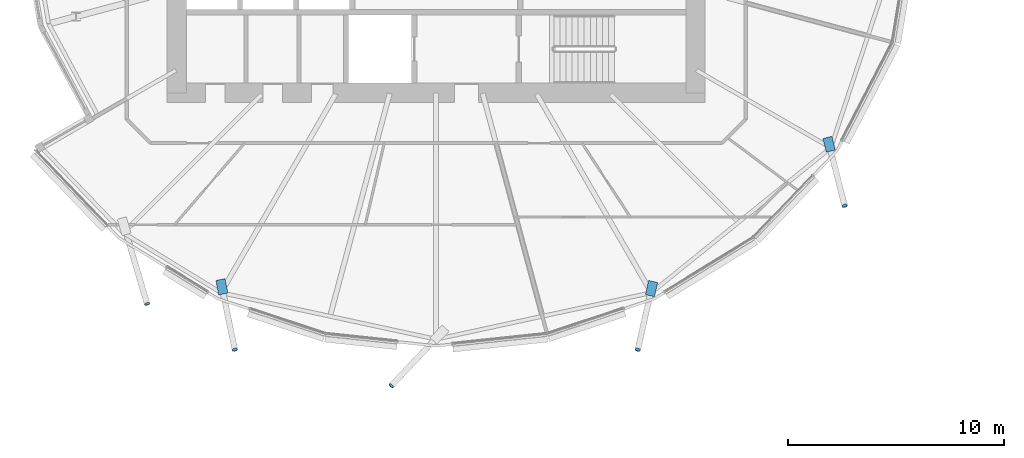
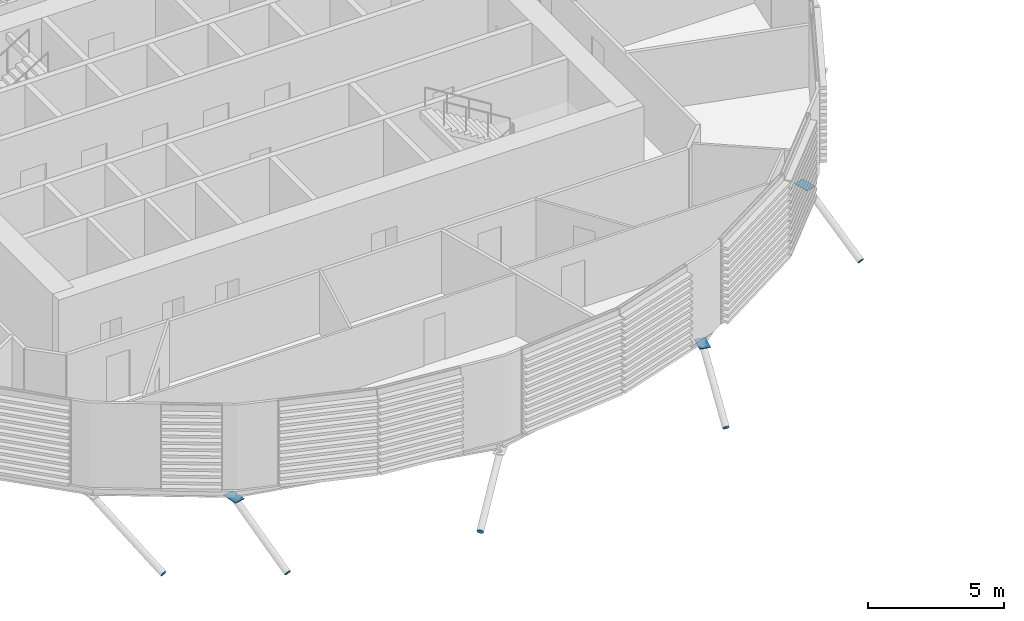
# One storey, part 26 of 36: 8 discrete accessories.
"""IFC4 building model written with IfcOpenShell, lengths in metres."""

from ifc_helpers import new_model, si_unit, direction, frame, origin, origin_2d, place, context, subcontext, project, spatial, polyline, rectangle, circle, outline, extrude, material, material_profile, profile_set, type_object, element, save


model = new_model("IFC4")

# Units and contexts
model_context = context("Model", 3, precision=1e-05, world=origin(), true_north=direction((0.0, 1.0)))
body_context = subcontext(model_context, "Body", "Model", "MODEL_VIEW")
ifc_project = project(units=[si_unit("LENGTHUNIT", "METRE"), si_unit("AREAUNIT", "SQUARE_METRE"), si_unit("VOLUMEUNIT", "CUBIC_METRE"), si_unit("PLANEANGLEUNIT", "RADIAN"), si_unit("MASSUNIT", "GRAM", prefix="KILO")], contexts=[model_context])

# Site, building, storey
site_placement = place(None, origin())
site = spatial("IfcSite", under=ifc_project, at=site_placement, CompositionType="ELEMENT")
building_placement = place(site_placement, origin())
building = spatial("IfcBuilding", under=site, at=building_placement, Name="Rimbun Link Towers", CompositionType="ELEMENT")
storey_placement = place(building_placement, frame((0.0, 0.0, 37.60009765625)))
storey = spatial("IfcBuildingStorey", under=building, at=storey_placement, Name="L08", CompositionType="ELEMENT", Elevation=37.60009765625)

# Discrete accessories
ifc_material_1 = material(Name="Steel S355J2H", Category="steel")
ifc_material_profile_1 = material_profile(ifc_material_1, circle(Radius=0.1240234375, at=origin_2d()), Name="PL D248")
ifc_profile_set_1 = profile_set([ifc_material_profile_1], Name="Steel S355J2H")
discrete_accessory_type_1 = type_object("IfcDiscreteAccessoryType", Name="Link foot sealing plate D248X20", PredefinedType="BRACKET", material=ifc_profile_set_1)
for number, where, z_axis, x_axis, name in (
    (1, (-45.1328125, -17.76220703125, -2.51611328125), (0.255075362477, -0.86239765409, -0.437272049961), (0.958934255811, 0.28362844186, 0.0), "Link foot sealing plate T1 L08 15"),
    (2, (-41.0732421875, -19.878173828125, -2.6142578125), (0.17143428362, -0.832680806153, -0.526548156832), (0.979457043257, 0.20165292067, 0.0), "Link foot sealing plate T1 L08 16"),
    (3, (-33.82763671875, -21.550537109375, -2.277587890625), (-0.624323401192, -0.661048307145, -0.416215600795), (0.72701315255, -0.686623532964, 0.0), "Link foot sealing plate T1 L08 18"),
    (4, (-22.419921875, -19.882080078125, -2.610595703125), (-0.183281524028, -0.830876242258, -0.525407035546), (0.976523773464, -0.215409655911, 0.0), "Link foot sealing plate T1 L08 20"),
    (5, (-12.8486328125, -13.218505859375, -2.505615234375), (0.208154595991, -0.808129607964, -0.550997459976), (0.968391739894, 0.249434236033, 0.0), "Link foot sealing plate T1 L08 22"),
):
    element("IfcDiscreteAccessory", number, at=place(storey_placement, frame(where, z_axis=z_axis, x_axis=x_axis)), inside=storey, type_object=discrete_accessory_type_1, Name=name, PredefinedType="BRACKET", context=body_context, shape_type="SweptSolid", body=[
        extrude(circle(Radius=0.1240234375, at=origin_2d()), origin(), (0.0, 0.0, 1.0), 0.02001953125),
    ])
ifc_material_2 = material(Name="Steel S355J2H", Category="steel")
ifc_material_profile_2 = material_profile(ifc_material_2, rectangle(XDim=0.43310546875, YDim=0.43310546875, at=origin_2d()), Name="PL 433x433")
ifc_profile_set_2 = profile_set([ifc_material_profile_2], Name="Steel S355J2H")
discrete_accessory_type_2 = type_object("IfcDiscreteAccessoryType", Name="Link head end plate 433X20", PredefinedType="BRACKET", material=ifc_profile_set_2)
discrete_accessory_1_placement = place(storey_placement, frame((0.0, 0.0, -0.78271484375)))
element("IfcDiscreteAccessory", 6, at=discrete_accessory_1_placement, inside=storey, type_object=discrete_accessory_type_2, Name="Link head end plate T1 L08 16", PredefinedType="BRACKET", context=body_context, shape_type="SweptSolid", body=[
    extrude(outline(polyline([(-41.9501953125, -16.685546875), (-41.8134765625, -17.35107421875), (-41.389404296875, -17.263916015625), (-41.526123046875, -16.598388671875), (-41.9501953125, -16.685546875)])), origin(), (0.0, 0.0, 1.0), 0.02001953125),
])
discrete_accessory_2_placement = place(storey_placement, frame((0.0, 0.0, -0.78271484375)))
element("IfcDiscreteAccessory", 7, at=discrete_accessory_2_placement, inside=storey, type_object=discrete_accessory_type_2, Name="Link head end plate T1 L08 20", PredefinedType="BRACKET", context=body_context, shape_type="SweptSolid", body=[
    extrude(outline(polyline([(-21.920654296875, -16.6826171875), (-22.068359375, -17.33740234375), (-21.64599609375, -17.4326171875), (-21.498291015625, -16.77783203125), (-21.920654296875, -16.6826171875)])), origin(), (0.0, 0.0, 1.0), 0.02001953125),
])
discrete_accessory_3_placement = place(storey_placement, frame((0.0, 0.0, -0.58642578125)))
element("IfcDiscreteAccessory", 8, at=discrete_accessory_3_placement, inside=storey, type_object=discrete_accessory_type_2, Name="Link head end plate T1 L08 22", PredefinedType="BRACKET", context=body_context, shape_type="SweptSolid", body=[
    extrude(outline(polyline([(-13.857421875, -10.113037109375), (-13.69580078125, -10.751220703125), (-13.276123046875, -10.64501953125), (-13.4375, -10.0068359375), (-13.857421875, -10.113037109375)])), origin(), (0.0, 0.0, 1.0), 0.02001953125),
])

save(model, "model.ifc")
